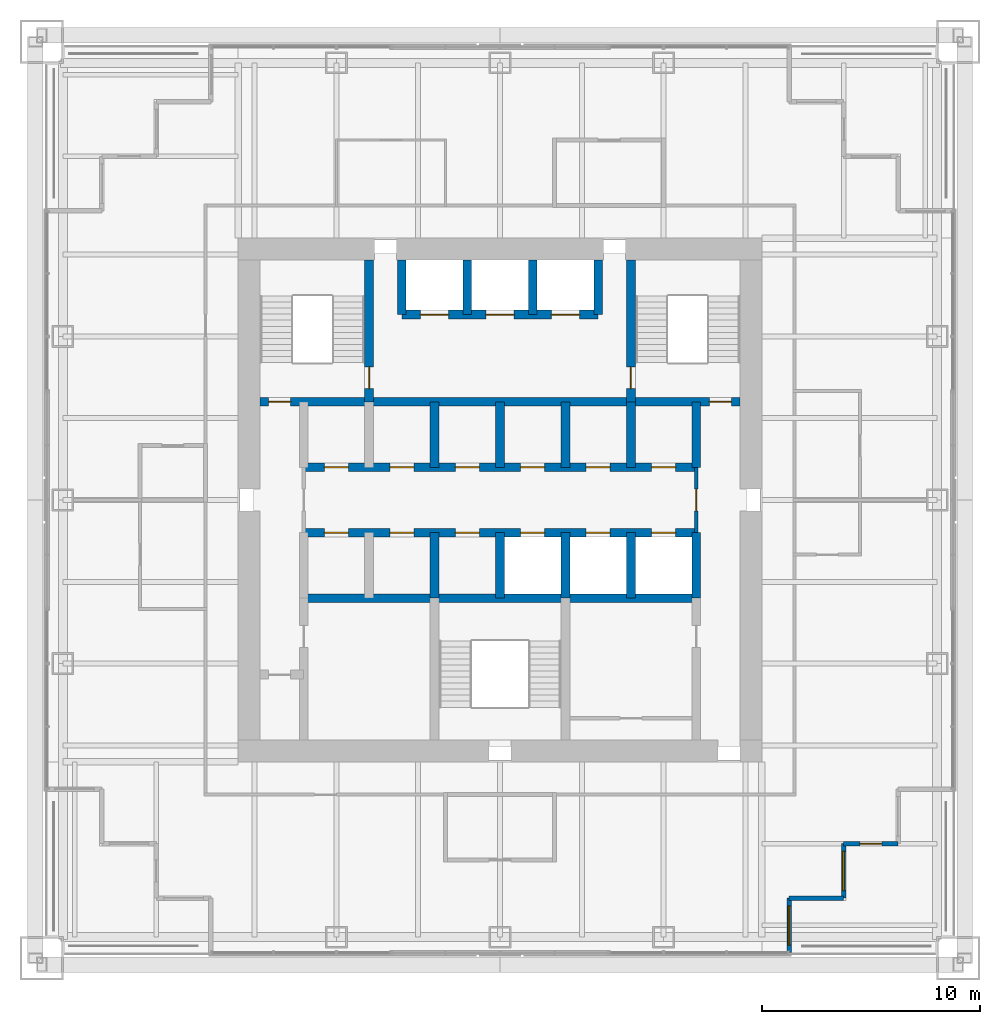
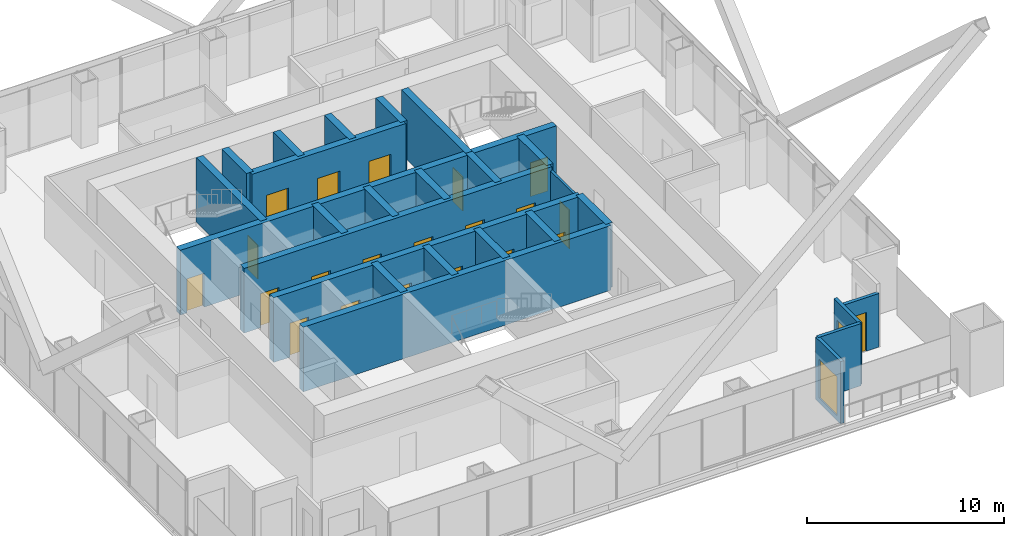
# One storey, part 15 of 19: 26 walls, 21 doors, 2 windows, 23 openings.
"""IFC4 building model written with IfcOpenShell, lengths in metres."""

from ifc_helpers import new_model, si_unit, direction, frame, frame_2d, origin, place, context, subcontext, project, spatial, rectangle, extrude, material, layer, layer_set, type_object, element, fill, save


model = new_model("IFC4")

# Units and contexts
model_context = context("Model", 3, precision=1e-05, world=origin(), true_north=direction((0.0, 1.0)))
body_context = subcontext(model_context, "Body", "Model", "MODEL_VIEW")
ifc_project = project(units=[si_unit("LENGTHUNIT", "METRE"), si_unit("AREAUNIT", "SQUARE_METRE"), si_unit("VOLUMEUNIT", "CUBIC_METRE"), si_unit("PLANEANGLEUNIT", "RADIAN"), si_unit("MASSUNIT", "GRAM", prefix="KILO")], contexts=[model_context])

# Site, building, storey
site_placement = place(None, origin())
site = spatial("IfcSite", under=ifc_project, at=site_placement, CompositionType="ELEMENT")
building_placement = place(site_placement, origin())
building = spatial("IfcBuilding", under=site, at=building_placement, Name="Tarangal Relay Tower", CompositionType="ELEMENT")
storey_placement = place(building_placement, frame((0.0, 0.0, 275.89990234375)))
storey = spatial("IfcBuildingStorey", under=building, at=storey_placement, Name="L60", CompositionType="ELEMENT", Elevation=275.89990234375)

# Wall, openings, doors
ifc_material_1 = material(Name="Concrete fc' 60 MPa", Category="concrete")
ifc_layer_1 = layer(ifc_material_1, 0.39990234375)
ifc_layer_set_1 = layer_set([ifc_layer_1], Name="Core inner wall 400")
wall_type_1 = type_object("IfcWallType", Name="Core inner wall 400", PredefinedType="SHEAR", material=ifc_layer_set_1)
wall_1_placement = place(storey_placement, frame((-11.0, 4.5, 0.0), z_axis=(0.0, 0.0, 1.0), x_axis=(1.0, 0.0, 0.0)))
wall_1 = element("IfcWall", 1, at=wall_1_placement, inside=storey, type_object=wall_type_1, Name="Core wall Y45 L60", PredefinedType="SHEAR", context=body_context, shape_type="SweptSolid", body=[
    extrude(rectangle(XDim=22.0, YDim=0.39990234375, at=frame_2d((11.0, 0.0))), origin(), (0.0, 0.0, 1.0), 4.0),
])
opening_1_placement = place(wall_1_placement, frame((0.39990234375, 0.0, 0.0)))
opening_1 = element("IfcOpeningElement", 2, at=opening_1_placement, cuts=wall_1, Name="Opening FD1", PredefinedType="OPENING", context=body_context, shape_type="SweptSolid", body=[
    extrude(rectangle(XDim=1.0, YDim=2.10009765625, at=frame_2d((0.5, 1.050048828125))), frame((0.0, 0.2099609375, 0.0), z_axis=(0.0, -1.0, 0.0), x_axis=(1.0, 0.0, 0.0)), (0.0, 0.0, 1.0), 0.419921875),
])
opening_2_placement = place(wall_1_placement, frame((20.60009765625, 0.0, 0.0)))
opening_2 = element("IfcOpeningElement", 3, at=opening_2_placement, cuts=wall_1, Name="Opening FD1", PredefinedType="OPENING", context=body_context, shape_type="SweptSolid", body=[
    extrude(rectangle(XDim=1.0, YDim=2.10009765625, at=frame_2d((0.5, 1.050048828125))), frame((0.0, 0.2099609375, 0.0), z_axis=(0.0, -1.0, 0.0), x_axis=(1.0, 0.0, 0.0)), (0.0, 0.0, 1.0), 0.419921875),
])
ifc_material_2 = material(Name="Steel door with hardwood frame", Category="steel")
door_type_1 = type_object("IfcDoorType", Name="Fire door 1000 x 2100", OperationType="SINGLE_SWING_LEFT", PredefinedType="DOOR", material=ifc_material_2)
door_1_placement = place(opening_1_placement, origin())
door_1 = element("IfcDoor", 4, at=door_1_placement, inside=storey, type_object=door_type_1, Name="Stair ST-A door from corridor L60", OperationType="SINGLE_SWING_LEFT", OverallHeight=2.10009765625, OverallWidth=1.0, PredefinedType="DOOR", context=body_context, shape_type="SweptSolid", body=[
    extrude(rectangle(XDim=1.0, YDim=2.10009765625, at=frame_2d((0.5, 1.050048828125))), frame((0.0, 0.02490234375, 0.0), z_axis=(0.0, -1.0, 0.0), x_axis=(1.0, 0.0, 0.0)), (0.0, 0.0, 1.0), 0.050048828125),
])
fill(opening_1, door_1)
door_2_placement = place(opening_2_placement, origin())
door_2 = element("IfcDoor", 5, at=door_2_placement, inside=storey, type_object=door_type_1, Name="Stair ST-B door from corridor L60", OperationType="SINGLE_SWING_LEFT", OverallHeight=2.10009765625, OverallWidth=1.0, PredefinedType="DOOR", context=body_context, shape_type="SweptSolid", body=[
    extrude(rectangle(XDim=1.0, YDim=2.10009765625, at=frame_2d((0.5, 1.050048828125))), frame((0.0, 0.02490234375, 0.0), z_axis=(0.0, -1.0, 0.0), x_axis=(1.0, 0.0, 0.0)), (0.0, 0.0, 1.0), 0.050048828125),
])
fill(opening_2, door_2)

wall_2_placement = place(storey_placement, frame((-9.0, 1.5, 0.0), z_axis=(0.0, 0.0, 1.0), x_axis=(1.0, 0.0, 0.0)))
wall_2 = element("IfcWall", 6, at=wall_2_placement, inside=storey, type_object=wall_type_1, Name="Core wall Y15 L60", PredefinedType="SHEAR", context=body_context, shape_type="SweptSolid", body=[
    extrude(rectangle(XDim=18.0, YDim=0.39990234375, at=frame_2d((9.0, 0.0))), origin(), (0.0, 0.0, 1.0), 4.0),
])
opening_3_placement = place(wall_2_placement, frame((0.949951171875, 0.0, 0.0)))
opening_3 = element("IfcOpeningElement", 7, at=opening_3_placement, cuts=wall_2, Name="Opening D4", PredefinedType="OPENING", context=body_context, shape_type="SweptSolid", body=[
    extrude(rectangle(XDim=1.10009765625, YDim=2.10009765625, at=frame_2d((0.550048828125, 1.050048828125))), frame((0.0, 0.2099609375, 0.0), z_axis=(0.0, -1.0, 0.0), x_axis=(1.0, 0.0, 0.0)), (0.0, 0.0, 1.0), 0.419921875),
])
opening_4_placement = place(wall_2_placement, frame((3.949951171875, 0.0, 0.0)))
opening_4 = element("IfcOpeningElement", 8, at=opening_4_placement, cuts=wall_2, Name="Opening D4", PredefinedType="OPENING", context=body_context, shape_type="SweptSolid", body=[
    extrude(rectangle(XDim=1.10009765625, YDim=2.10009765625, at=frame_2d((0.550048828125, 1.050048828125))), frame((0.0, 0.2099609375, 0.0), z_axis=(0.0, -1.0, 0.0), x_axis=(1.0, 0.0, 0.0)), (0.0, 0.0, 1.0), 0.419921875),
])
opening_5_placement = place(wall_2_placement, frame((6.949951171875, 0.0, 0.0)))
opening_5 = element("IfcOpeningElement", 9, at=opening_5_placement, cuts=wall_2, Name="Opening D4", PredefinedType="OPENING", context=body_context, shape_type="SweptSolid", body=[
    extrude(rectangle(XDim=1.10009765625, YDim=2.10009765625, at=frame_2d((0.550048828125, 1.050048828125))), frame((0.0, 0.2099609375, 0.0), z_axis=(0.0, -1.0, 0.0), x_axis=(1.0, 0.0, 0.0)), (0.0, 0.0, 1.0), 0.419921875),
])
opening_6_placement = place(wall_2_placement, frame((9.949951171875, 0.0, 0.0)))
opening_6 = element("IfcOpeningElement", 10, at=opening_6_placement, cuts=wall_2, Name="Opening D4", PredefinedType="OPENING", context=body_context, shape_type="SweptSolid", body=[
    extrude(rectangle(XDim=1.10009765625, YDim=2.10009765625, at=frame_2d((0.550048828125, 1.050048828125))), frame((0.0, 0.2099609375, 0.0), z_axis=(0.0, -1.0, 0.0), x_axis=(1.0, 0.0, 0.0)), (0.0, 0.0, 1.0), 0.419921875),
])
opening_7_placement = place(wall_2_placement, frame((12.949951171875, 0.0, 0.0)))
opening_7 = element("IfcOpeningElement", 11, at=opening_7_placement, cuts=wall_2, Name="Opening D4", PredefinedType="OPENING", context=body_context, shape_type="SweptSolid", body=[
    extrude(rectangle(XDim=1.10009765625, YDim=2.10009765625, at=frame_2d((0.550048828125, 1.050048828125))), frame((0.0, 0.2099609375, 0.0), z_axis=(0.0, -1.0, 0.0), x_axis=(1.0, 0.0, 0.0)), (0.0, 0.0, 1.0), 0.419921875),
])
opening_8_placement = place(wall_2_placement, frame((15.949951171875, 0.0, 0.0)))
opening_8 = element("IfcOpeningElement", 12, at=opening_8_placement, cuts=wall_2, Name="Opening D4", PredefinedType="OPENING", context=body_context, shape_type="SweptSolid", body=[
    extrude(rectangle(XDim=1.10009765625, YDim=2.10009765625, at=frame_2d((0.550048828125, 1.050048828125))), frame((0.0, 0.2099609375, 0.0), z_axis=(0.0, -1.0, 0.0), x_axis=(1.0, 0.0, 0.0)), (0.0, 0.0, 1.0), 0.419921875),
])
door_type_2 = type_object("IfcDoorType", Name="Core room door 1100 x 2100", OperationType="SINGLE_SWING_RIGHT", PredefinedType="DOOR", material=ifc_material_2)
door_3_placement = place(opening_3_placement, origin())
door_3 = element("IfcDoor", 13, at=door_3_placement, inside=storey, type_object=door_type_2, Name="Door D4 to staff wc L60-D1", OperationType="SINGLE_SWING_RIGHT", OverallHeight=2.10009765625, OverallWidth=1.10009765625, PredefinedType="DOOR", context=body_context, shape_type="SweptSolid", body=[
    extrude(rectangle(XDim=1.10009765625, YDim=2.10009765625, at=frame_2d((0.550048828125, 1.050048828125))), frame((0.0, 0.02490234375, 0.0), z_axis=(0.0, -1.0, 0.0), x_axis=(1.0, 0.0, 0.0)), (0.0, 0.0, 1.0), 0.050048828125),
])
fill(opening_3, door_3)
door_4_placement = place(opening_4_placement, origin())
door_4 = element("IfcDoor", 14, at=door_4_placement, inside=storey, type_object=door_type_2, Name="Door D4 to staff pantry L60-D2", OperationType="SINGLE_SWING_RIGHT", OverallHeight=2.10009765625, OverallWidth=1.10009765625, PredefinedType="DOOR", context=body_context, shape_type="SweptSolid", body=[
    extrude(rectangle(XDim=1.10009765625, YDim=2.10009765625, at=frame_2d((0.550048828125, 1.050048828125))), frame((0.0, 0.02490234375, 0.0), z_axis=(0.0, -1.0, 0.0), x_axis=(1.0, 0.0, 0.0)), (0.0, 0.0, 1.0), 0.050048828125),
])
fill(opening_4, door_4)
door_5_placement = place(opening_5_placement, origin())
door_5 = element("IfcDoor", 15, at=door_5_placement, inside=storey, type_object=door_type_2, Name="Door D4 to it room L60-D3", OperationType="SINGLE_SWING_RIGHT", OverallHeight=2.10009765625, OverallWidth=1.10009765625, PredefinedType="DOOR", context=body_context, shape_type="SweptSolid", body=[
    extrude(rectangle(XDim=1.10009765625, YDim=2.10009765625, at=frame_2d((0.550048828125, 1.050048828125))), frame((0.0, 0.02490234375, 0.0), z_axis=(0.0, -1.0, 0.0), x_axis=(1.0, 0.0, 0.0)), (0.0, 0.0, 1.0), 0.050048828125),
])
fill(opening_5, door_5)
door_6_placement = place(opening_6_placement, origin())
door_6 = element("IfcDoor", 16, at=door_6_placement, inside=storey, type_object=door_type_2, Name="Door D4 to cleaner's store L60-T1", OperationType="SINGLE_SWING_RIGHT", OverallHeight=2.10009765625, OverallWidth=1.10009765625, PredefinedType="DOOR", context=body_context, shape_type="SweptSolid", body=[
    extrude(rectangle(XDim=1.10009765625, YDim=2.10009765625, at=frame_2d((0.550048828125, 1.050048828125))), frame((0.0, 0.02490234375, 0.0), z_axis=(0.0, -1.0, 0.0), x_axis=(1.0, 0.0, 0.0)), (0.0, 0.0, 1.0), 0.050048828125),
])
fill(opening_6, door_6)
door_7_placement = place(opening_7_placement, origin())
door_7 = element("IfcDoor", 17, at=door_7_placement, inside=storey, type_object=door_type_2, Name="Door D4 to staff wc L60-T2", OperationType="SINGLE_SWING_RIGHT", OverallHeight=2.10009765625, OverallWidth=1.10009765625, PredefinedType="DOOR", context=body_context, shape_type="SweptSolid", body=[
    extrude(rectangle(XDim=1.10009765625, YDim=2.10009765625, at=frame_2d((0.550048828125, 1.050048828125))), frame((0.0, 0.02490234375, 0.0), z_axis=(0.0, -1.0, 0.0), x_axis=(1.0, 0.0, 0.0)), (0.0, 0.0, 1.0), 0.050048828125),
])
fill(opening_7, door_7)
door_8_placement = place(opening_8_placement, origin())
door_8 = element("IfcDoor", 18, at=door_8_placement, inside=storey, type_object=door_type_2, Name="Door D4 to staff pantry L60-T3", OperationType="SINGLE_SWING_RIGHT", OverallHeight=2.10009765625, OverallWidth=1.10009765625, PredefinedType="DOOR", context=body_context, shape_type="SweptSolid", body=[
    extrude(rectangle(XDim=1.10009765625, YDim=2.10009765625, at=frame_2d((0.550048828125, 1.050048828125))), frame((0.0, 0.02490234375, 0.0), z_axis=(0.0, -1.0, 0.0), x_axis=(1.0, 0.0, 0.0)), (0.0, 0.0, 1.0), 0.050048828125),
])
fill(opening_8, door_8)

wall_3_placement = place(storey_placement, frame((-9.0, -1.5, 0.0), z_axis=(0.0, 0.0, 1.0), x_axis=(1.0, 0.0, 0.0)))
wall_3 = element("IfcWall", 19, at=wall_3_placement, inside=storey, type_object=wall_type_1, Name="Core wall YM15 L60", PredefinedType="SHEAR", context=body_context, shape_type="SweptSolid", body=[
    extrude(rectangle(XDim=18.0, YDim=0.39990234375, at=frame_2d((9.0, 0.0))), origin(), (0.0, 0.0, 1.0), 4.0),
])
opening_9_placement = place(wall_3_placement, frame((9.949951171875, 0.0, 0.0)))
opening_9 = element("IfcOpeningElement", 20, at=opening_9_placement, cuts=wall_3, Name="Opening LD1", PredefinedType="OPENING", context=body_context, shape_type="SweptSolid", body=[
    extrude(rectangle(XDim=1.10009765625, YDim=2.10009765625, at=frame_2d((0.550048828125, 1.050048828125))), frame((0.0, 0.2099609375, 0.0), z_axis=(0.0, -1.0, 0.0), x_axis=(1.0, 0.0, 0.0)), (0.0, 0.0, 1.0), 0.419921875),
])
opening_10_placement = place(wall_3_placement, frame((12.949951171875, 0.0, 0.0)))
opening_10 = element("IfcOpeningElement", 21, at=opening_10_placement, cuts=wall_3, Name="Opening LD1", PredefinedType="OPENING", context=body_context, shape_type="SweptSolid", body=[
    extrude(rectangle(XDim=1.10009765625, YDim=2.10009765625, at=frame_2d((0.550048828125, 1.050048828125))), frame((0.0, 0.2099609375, 0.0), z_axis=(0.0, -1.0, 0.0), x_axis=(1.0, 0.0, 0.0)), (0.0, 0.0, 1.0), 0.419921875),
])
opening_11_placement = place(wall_3_placement, frame((15.949951171875, 0.0, 0.0)))
opening_11 = element("IfcOpeningElement", 22, at=opening_11_placement, cuts=wall_3, Name="Opening LD1", PredefinedType="OPENING", context=body_context, shape_type="SweptSolid", body=[
    extrude(rectangle(XDim=1.10009765625, YDim=2.10009765625, at=frame_2d((0.550048828125, 1.050048828125))), frame((0.0, 0.2099609375, 0.0), z_axis=(0.0, -1.0, 0.0), x_axis=(1.0, 0.0, 0.0)), (0.0, 0.0, 1.0), 0.419921875),
])
opening_12_placement = place(wall_3_placement, frame((0.949951171875, 0.0, 0.0)))
opening_12 = element("IfcOpeningElement", 23, at=opening_12_placement, cuts=wall_3, Name="Opening D4", PredefinedType="OPENING", context=body_context, shape_type="SweptSolid", body=[
    extrude(rectangle(XDim=1.10009765625, YDim=2.10009765625, at=frame_2d((0.550048828125, 1.050048828125))), frame((0.0, 0.2099609375, 0.0), z_axis=(0.0, -1.0, 0.0), x_axis=(1.0, 0.0, 0.0)), (0.0, 0.0, 1.0), 0.419921875),
])
opening_13_placement = place(wall_3_placement, frame((3.949951171875, 0.0, 0.0)))
opening_13 = element("IfcOpeningElement", 24, at=opening_13_placement, cuts=wall_3, Name="Opening D4", PredefinedType="OPENING", context=body_context, shape_type="SweptSolid", body=[
    extrude(rectangle(XDim=1.10009765625, YDim=2.10009765625, at=frame_2d((0.550048828125, 1.050048828125))), frame((0.0, 0.2099609375, 0.0), z_axis=(0.0, -1.0, 0.0), x_axis=(1.0, 0.0, 0.0)), (0.0, 0.0, 1.0), 0.419921875),
])
opening_14_placement = place(wall_3_placement, frame((6.949951171875, 0.0, 0.0)))
opening_14 = element("IfcOpeningElement", 25, at=opening_14_placement, cuts=wall_3, Name="Opening D4", PredefinedType="OPENING", context=body_context, shape_type="SweptSolid", body=[
    extrude(rectangle(XDim=1.10009765625, YDim=2.10009765625, at=frame_2d((0.550048828125, 1.050048828125))), frame((0.0, 0.2099609375, 0.0), z_axis=(0.0, -1.0, 0.0), x_axis=(1.0, 0.0, 0.0)), (0.0, 0.0, 1.0), 0.419921875),
])
door_9_placement = place(opening_12_placement, origin())
door_9 = element("IfcDoor", 26, at=door_9_placement, inside=storey, type_object=door_type_2, Name="Door D4 to it room L60-S1", OperationType="SINGLE_SWING_RIGHT", OverallHeight=2.10009765625, OverallWidth=1.10009765625, PredefinedType="DOOR", context=body_context, shape_type="SweptSolid", body=[
    extrude(rectangle(XDim=1.10009765625, YDim=2.10009765625, at=frame_2d((0.550048828125, 1.050048828125))), frame((0.0, 0.02490234375, 0.0), z_axis=(0.0, -1.0, 0.0), x_axis=(1.0, 0.0, 0.0)), (0.0, 0.0, 1.0), 0.050048828125),
])
fill(opening_12, door_9)
door_10_placement = place(opening_13_placement, origin())
door_10 = element("IfcDoor", 27, at=door_10_placement, inside=storey, type_object=door_type_2, Name="Door D4 to cleaner's store L60-S2", OperationType="SINGLE_SWING_RIGHT", OverallHeight=2.10009765625, OverallWidth=1.10009765625, PredefinedType="DOOR", context=body_context, shape_type="SweptSolid", body=[
    extrude(rectangle(XDim=1.10009765625, YDim=2.10009765625, at=frame_2d((0.550048828125, 1.050048828125))), frame((0.0, 0.02490234375, 0.0), z_axis=(0.0, -1.0, 0.0), x_axis=(1.0, 0.0, 0.0)), (0.0, 0.0, 1.0), 0.050048828125),
])
fill(opening_13, door_10)
door_11_placement = place(opening_14_placement, origin())
door_11 = element("IfcDoor", 28, at=door_11_placement, inside=storey, type_object=door_type_2, Name="Door D4 to staff wc L60-S3", OperationType="SINGLE_SWING_RIGHT", OverallHeight=2.10009765625, OverallWidth=1.10009765625, PredefinedType="DOOR", context=body_context, shape_type="SweptSolid", body=[
    extrude(rectangle(XDim=1.10009765625, YDim=2.10009765625, at=frame_2d((0.550048828125, 1.050048828125))), frame((0.0, 0.02490234375, 0.0), z_axis=(0.0, -1.0, 0.0), x_axis=(1.0, 0.0, 0.0)), (0.0, 0.0, 1.0), 0.050048828125),
])
fill(opening_14, door_11)
door_type_3 = type_object("IfcDoorType", Name="Lift landing door 1100 x 2100", OperationType="SLIDING_TO_LEFT", PredefinedType="DOOR", material=ifc_material_2)
door_12_placement = place(opening_9_placement, origin())
door_12 = element("IfcDoor", 29, at=door_12_placement, inside=storey, type_object=door_type_3, Name="Lift OH1 landing door L60", OperationType="SLIDING_TO_LEFT", OverallHeight=2.10009765625, OverallWidth=1.10009765625, PredefinedType="DOOR", context=body_context, shape_type="SweptSolid", body=[
    extrude(rectangle(XDim=1.10009765625, YDim=2.10009765625, at=frame_2d((0.550048828125, 1.050048828125))), frame((0.0, 0.02490234375, 0.0), z_axis=(0.0, -1.0, 0.0), x_axis=(1.0, 0.0, 0.0)), (0.0, 0.0, 1.0), 0.050048828125),
])
fill(opening_9, door_12)
door_13_placement = place(opening_10_placement, origin())
door_13 = element("IfcDoor", 30, at=door_13_placement, inside=storey, type_object=door_type_3, Name="Lift OH2 landing door L60", OperationType="SLIDING_TO_LEFT", OverallHeight=2.10009765625, OverallWidth=1.10009765625, PredefinedType="DOOR", context=body_context, shape_type="SweptSolid", body=[
    extrude(rectangle(XDim=1.10009765625, YDim=2.10009765625, at=frame_2d((0.550048828125, 1.050048828125))), frame((0.0, 0.02490234375, 0.0), z_axis=(0.0, -1.0, 0.0), x_axis=(1.0, 0.0, 0.0)), (0.0, 0.0, 1.0), 0.050048828125),
])
fill(opening_10, door_13)
door_14_placement = place(opening_11_placement, origin())
door_14 = element("IfcDoor", 31, at=door_14_placement, inside=storey, type_object=door_type_3, Name="Lift OH3 landing door L60", OperationType="SLIDING_TO_LEFT", OverallHeight=2.10009765625, OverallWidth=1.10009765625, PredefinedType="DOOR", context=body_context, shape_type="SweptSolid", body=[
    extrude(rectangle(XDim=1.10009765625, YDim=2.10009765625, at=frame_2d((0.550048828125, 1.050048828125))), frame((0.0, 0.02490234375, 0.0), z_axis=(0.0, -1.0, 0.0), x_axis=(1.0, 0.0, 0.0)), (0.0, 0.0, 1.0), 0.050048828125),
])
fill(opening_11, door_14)

# Wall
wall_4_placement = place(storey_placement, frame((-9.0, -4.5, 0.0), z_axis=(0.0, 0.0, 1.0), x_axis=(1.0, 0.0, 0.0)))
element("IfcWall", 32, at=wall_4_placement, inside=storey, type_object=wall_type_1, Name="Core wall YM45 L60", PredefinedType="SHEAR", context=body_context, shape_type="SweptSolid", body=[
    extrude(rectangle(XDim=18.0, YDim=0.39990234375, at=frame_2d((9.0, 0.0))), origin(), (0.0, 0.0, 1.0), 4.0),
])

# Wall, openings, doors
wall_5_placement = place(storey_placement, frame((-4.5, 8.5, 0.0), z_axis=(0.0, 0.0, 1.0), x_axis=(1.0, 0.0, 0.0)))
wall_5 = element("IfcWall", 33, at=wall_5_placement, inside=storey, type_object=wall_type_1, Name="Core wall Y85 L60", PredefinedType="SHEAR", context=body_context, shape_type="SweptSolid", body=[
    extrude(rectangle(XDim=9.0, YDim=0.39990234375, at=frame_2d((4.5, 0.0))), origin(), (0.0, 0.0, 1.0), 4.0),
])
opening_15_placement = place(wall_5_placement, frame((0.85009765625, 0.0, 0.0)))
opening_15 = element("IfcOpeningElement", 34, at=opening_15_placement, cuts=wall_5, Name="Opening LD2", PredefinedType="OPENING", context=body_context, shape_type="SweptSolid", body=[
    extrude(rectangle(XDim=1.300048828125, YDim=2.39990234375, at=frame_2d((0.64990234375, 1.199951171875))), frame((0.0, 0.2099609375, 0.0), z_axis=(0.0, -1.0, 0.0), x_axis=(1.0, 0.0, 0.0)), (0.0, 0.0, 1.0), 0.419921875),
])
opening_16_placement = place(wall_5_placement, frame((6.85009765625, 0.0, 0.0)))
opening_16 = element("IfcOpeningElement", 35, at=opening_16_placement, cuts=wall_5, Name="Opening LD2", PredefinedType="OPENING", context=body_context, shape_type="SweptSolid", body=[
    extrude(rectangle(XDim=1.300048828125, YDim=2.39990234375, at=frame_2d((0.64990234375, 1.199951171875))), frame((0.0, 0.2099609375, 0.0), z_axis=(0.0, -1.0, 0.0), x_axis=(1.0, 0.0, 0.0)), (0.0, 0.0, 1.0), 0.419921875),
])
opening_17_placement = place(wall_5_placement, frame((3.85009765625, 0.0, 0.0)))
opening_17 = element("IfcOpeningElement", 36, at=opening_17_placement, cuts=wall_5, Name="Opening LD2", PredefinedType="OPENING", context=body_context, shape_type="SweptSolid", body=[
    extrude(rectangle(XDim=1.300048828125, YDim=2.39990234375, at=frame_2d((0.64990234375, 1.199951171875))), frame((0.0, 0.2099609375, 0.0), z_axis=(0.0, -1.0, 0.0), x_axis=(1.0, 0.0, 0.0)), (0.0, 0.0, 1.0), 0.419921875),
])
door_type_4 = type_object("IfcDoorType", Name="Lift landing door 1300 x 2400", OperationType="SLIDING_TO_LEFT", PredefinedType="DOOR", material=ifc_material_2)
door_15_placement = place(opening_15_placement, origin())
door_15 = element("IfcDoor", 37, at=door_15_placement, inside=storey, type_object=door_type_4, Name="Lift FF1 landing door L60", OperationType="SLIDING_TO_LEFT", OverallHeight=2.39990234375, OverallWidth=1.300048828125, PredefinedType="DOOR", context=body_context, shape_type="SweptSolid", body=[
    extrude(rectangle(XDim=1.300048828125, YDim=2.39990234375, at=frame_2d((0.64990234375, 1.199951171875))), frame((0.0, 0.02490234375, 0.0), z_axis=(0.0, -1.0, 0.0), x_axis=(1.0, 0.0, 0.0)), (0.0, 0.0, 1.0), 0.050048828125),
])
fill(opening_15, door_15)
door_16_placement = place(opening_16_placement, origin())
door_16 = element("IfcDoor", 38, at=door_16_placement, inside=storey, type_object=door_type_4, Name="Lift FF2 landing door L60", OperationType="SLIDING_TO_LEFT", OverallHeight=2.39990234375, OverallWidth=1.300048828125, PredefinedType="DOOR", context=body_context, shape_type="SweptSolid", body=[
    extrude(rectangle(XDim=1.300048828125, YDim=2.39990234375, at=frame_2d((0.64990234375, 1.199951171875))), frame((0.0, 0.02490234375, 0.0), z_axis=(0.0, -1.0, 0.0), x_axis=(1.0, 0.0, 0.0)), (0.0, 0.0, 1.0), 0.050048828125),
])
fill(opening_16, door_16)
door_17_placement = place(opening_17_placement, origin())
door_17 = element("IfcDoor", 39, at=door_17_placement, inside=storey, type_object=door_type_4, Name="Lift SV1 landing door L60", OperationType="SLIDING_TO_LEFT", OverallHeight=2.39990234375, OverallWidth=1.300048828125, PredefinedType="DOOR", context=body_context, shape_type="SweptSolid", body=[
    extrude(rectangle(XDim=1.300048828125, YDim=2.39990234375, at=frame_2d((0.64990234375, 1.199951171875))), frame((0.0, 0.02490234375, 0.0), z_axis=(0.0, -1.0, 0.0), x_axis=(1.0, 0.0, 0.0)), (0.0, 0.0, 1.0), 0.050048828125),
])
fill(opening_17, door_17)

# Walls
for number, where, z_axis, x_axis, name in (
    (40, (9.0, 1.5, 0.0), (0.0, 0.0, 1.0), (0.0, 1.0, 0.0), "Core wall X9N L60"),
    (41, (9.0, -4.5, 0.0), (0.0, 0.0, 1.0), (0.0, 1.0, 0.0), "Core wall X9S L60"),
    (42, (-3.0, 1.5, 0.0), (0.0, 0.0, 1.0), (0.0, 1.0, 0.0), "Core wall XM3N L60"),
    (43, (0.0, 1.5, 0.0), (0.0, 0.0, 1.0), (0.0, 1.0, 0.0), "Core wall X0N L60"),
    (44, (3.0, 1.5, 0.0), (0.0, 0.0, 1.0), (0.0, 1.0, 0.0), "Core wall X3N L60"),
    (45, (6.0, 1.5, 0.0), (0.0, 0.0, 1.0), (0.0, 1.0, 0.0), "Core wall X6N L60"),
    (46, (-3.0, -4.5, 0.0), (0.0, 0.0, 1.0), (0.0, 1.0, 0.0), "Core wall XM3S L60"),
    (47, (0.0, -4.5, 0.0), (0.0, 0.0, 1.0), (0.0, 1.0, 0.0), "Core wall X0S L60"),
    (48, (3.0, -4.5, 0.0), (0.0, 0.0, 1.0), (0.0, 1.0, 0.0), "Core wall X3S L60"),
    (49, (6.0, -4.5, 0.0), (0.0, 0.0, 1.0), (0.0, 1.0, 0.0), "Core wall X6S L60"),
):
    element("IfcWall", number, at=place(storey_placement, frame(where, z_axis=z_axis, x_axis=x_axis)), inside=storey, type_object=wall_type_1, Name=name, PredefinedType="SHEAR", context=body_context, shape_type="SweptSolid", body=[
        extrude(rectangle(XDim=3.0, YDim=0.39990234375, at=frame_2d((1.5, 0.0))), origin(), (0.0, 0.0, 1.0), 4.0),
    ])

# Wall, opening, door
wall_6_placement = place(storey_placement, frame((-6.0, 4.5, 0.0), z_axis=(0.0, 0.0, 1.0), x_axis=(0.0, 1.0, 0.0)))
wall_6 = element("IfcWall", 50, at=wall_6_placement, inside=storey, type_object=wall_type_1, Name="Core wall XM6 L60", PredefinedType="SHEAR", context=body_context, shape_type="SweptSolid", body=[
    extrude(rectangle(XDim=6.5, YDim=0.39990234375, at=frame_2d((3.25, 0.0))), origin(), (0.0, 0.0, 1.0), 4.0),
])
opening_18_placement = place(wall_6_placement, frame((0.60009765625, 0.0, 0.0)))
opening_18 = element("IfcOpeningElement", 51, at=opening_18_placement, cuts=wall_6, Name="Opening FD1", PredefinedType="OPENING", context=body_context, shape_type="SweptSolid", body=[
    extrude(rectangle(XDim=1.0, YDim=2.10009765625, at=frame_2d((0.5, 1.050048828125))), frame((0.0, 0.2099609375, 0.0), z_axis=(0.0, -1.0, 0.0), x_axis=(1.0, 0.0, 0.0)), (0.0, 0.0, 1.0), 0.419921875),
])
door_18_placement = place(opening_18_placement, origin())
door_18 = element("IfcDoor", 52, at=door_18_placement, inside=storey, type_object=door_type_1, Name="Stair ST-A door from fire-fighting lobby L60", OperationType="SINGLE_SWING_LEFT", OverallHeight=2.10009765625, OverallWidth=1.0, PredefinedType="DOOR", context=body_context, shape_type="SweptSolid", body=[
    extrude(rectangle(XDim=1.0, YDim=2.10009765625, at=frame_2d((0.5, 1.050048828125))), frame((0.0, 0.02490234375, 0.0), z_axis=(0.0, -1.0, 0.0), x_axis=(1.0, 0.0, 0.0)), (0.0, 0.0, 1.0), 0.050048828125),
])
fill(opening_18, door_18)

wall_7_placement = place(storey_placement, frame((6.0, 4.5, 0.0), z_axis=(0.0, 0.0, 1.0), x_axis=(0.0, 1.0, 0.0)))
wall_7 = element("IfcWall", 53, at=wall_7_placement, inside=storey, type_object=wall_type_1, Name="Core wall X6 L60", PredefinedType="SHEAR", context=body_context, shape_type="SweptSolid", body=[
    extrude(rectangle(XDim=6.5, YDim=0.39990234375, at=frame_2d((3.25, 0.0))), origin(), (0.0, 0.0, 1.0), 4.0),
])
opening_19_placement = place(wall_7_placement, frame((0.60009765625, 0.0, 0.0)))
opening_19 = element("IfcOpeningElement", 54, at=opening_19_placement, cuts=wall_7, Name="Opening FD1", PredefinedType="OPENING", context=body_context, shape_type="SweptSolid", body=[
    extrude(rectangle(XDim=1.0, YDim=2.10009765625, at=frame_2d((0.5, 1.050048828125))), frame((0.0, 0.2099609375, 0.0), z_axis=(0.0, -1.0, 0.0), x_axis=(1.0, 0.0, 0.0)), (0.0, 0.0, 1.0), 0.419921875),
])
door_19_placement = place(opening_19_placement, origin())
door_19 = element("IfcDoor", 55, at=door_19_placement, inside=storey, type_object=door_type_1, Name="Stair ST-B door from fire-fighting lobby L60", OperationType="SINGLE_SWING_LEFT", OverallHeight=2.10009765625, OverallWidth=1.0, PredefinedType="DOOR", context=body_context, shape_type="SweptSolid", body=[
    extrude(rectangle(XDim=1.0, YDim=2.10009765625, at=frame_2d((0.5, 1.050048828125))), frame((0.0, 0.02490234375, 0.0), z_axis=(0.0, -1.0, 0.0), x_axis=(1.0, 0.0, 0.0)), (0.0, 0.0, 1.0), 0.050048828125),
])
fill(opening_19, door_19)

# Walls
for number, where, z_axis, x_axis, name in (
    (56, (-4.5, 8.5, 0.0), (0.0, 0.0, 1.0), (0.0, 1.0, 0.0), "Core wall XM45 L60"),
    (57, (4.5, 8.5, 0.0), (0.0, 0.0, 1.0), (0.0, 1.0, 0.0), "Core wall X45 L60"),
    (58, (-1.5, 8.5, 0.0), (0.0, 0.0, 1.0), (0.0, 1.0, 0.0), "Core wall XM15 L60"),
    (59, (1.5, 8.5, 0.0), (0.0, 0.0, 1.0), (0.0, 1.0, 0.0), "Core wall X15 L60"),
):
    element("IfcWall", number, at=place(storey_placement, frame(where, z_axis=z_axis, x_axis=x_axis)), inside=storey, type_object=wall_type_1, Name=name, PredefinedType="SHEAR", context=body_context, shape_type="SweptSolid", body=[
        extrude(rectangle(XDim=2.5, YDim=0.39990234375, at=frame_2d((1.25, 0.0))), origin(), (0.0, 0.0, 1.0), 4.0),
    ])

# Wall, opening, door
ifc_material_3 = material(Name="Black metal clad insulated wall", Category="steel")
ifc_layer_2 = layer(ifc_material_3, 0.199951171875)
ifc_layer_set_2 = layer_set([ifc_layer_2], Name="Corner wall metal clad 200")
wall_type_2 = type_object("IfcWallType", Name="Corner wall metal clad 200", PredefinedType="SOLIDWALL", material=ifc_layer_set_2)
wall_8_placement = place(storey_placement, frame((18.25, -15.75, 0.0), z_axis=(0.0, 0.0, 1.0), x_axis=(-1.0, 0.0, 0.0)))
wall_8 = element("IfcWall", 60, at=wall_8_placement, inside=storey, type_object=wall_type_2, Name="Facade wall E facade L60", PredefinedType="SOLIDWALL", context=body_context, shape_type="SweptSolid", body=[
    extrude(rectangle(XDim=2.5, YDim=0.199951171875, at=frame_2d((1.25, 0.0))), origin(), (0.0, 0.0, 1.0), 3.316650390625),
])
opening_20_placement = place(wall_8_placement, frame((0.75, 0.0, 0.0)))
opening_20 = element("IfcOpeningElement", 61, at=opening_20_placement, cuts=wall_8, Name="Opening TD1", PredefinedType="OPENING", context=body_context, shape_type="SweptSolid", body=[
    extrude(rectangle(XDim=1.0, YDim=2.39990234375, at=frame_2d((0.5, 1.199951171875))), frame((0.0, 0.10986328125, 0.0), z_axis=(0.0, -1.0, 0.0), x_axis=(1.0, 0.0, 0.0)), (0.0, 0.0, 1.0), 0.219970703125),
])
ifc_material_4 = material(Name="Aluminium glazed door", Category="aluminium")
door_type_5 = type_object("IfcDoorType", Name="Terrace door 1000 x 2400", OperationType="SINGLE_SWING_RIGHT", PredefinedType="DOOR", material=ifc_material_4)
door_20_placement = place(opening_20_placement, origin())
door_20 = element("IfcDoor", 62, at=door_20_placement, inside=storey, type_object=door_type_5, Name="Terrace door TD1 SE L60", OperationType="SINGLE_SWING_RIGHT", OverallHeight=2.39990234375, OverallWidth=1.0, PredefinedType="DOOR", context=body_context, shape_type="SweptSolid", body=[
    extrude(rectangle(XDim=1.0, YDim=2.39990234375, at=frame_2d((0.5, 1.199951171875))), frame((0.0, 0.02490234375, 0.0), z_axis=(0.0, -1.0, 0.0), x_axis=(1.0, 0.0, 0.0)), (0.0, 0.0, 1.0), 0.050048828125),
])
fill(opening_20, door_20)

# Wall, opening, window
wall_9_placement = place(storey_placement, frame((15.75, -15.75, 0.0), z_axis=(0.0, 0.0, 1.0), x_axis=(0.0, -1.0, 0.0)))
wall_9 = element("IfcWall", 63, at=wall_9_placement, inside=storey, type_object=wall_type_2, Name="Facade wall E facade L60", PredefinedType="SOLIDWALL", context=body_context, shape_type="SweptSolid", body=[
    extrude(rectangle(XDim=2.5, YDim=0.199951171875, at=frame_2d((1.25, 0.0))), origin(), (0.0, 0.0, 1.0), 3.85009765625),
])
opening_21_placement = place(wall_9_placement, frame((0.35009765625, 0.0, 0.300048828125)))
opening_21 = element("IfcOpeningElement", 64, at=opening_21_placement, cuts=wall_9, Name="Opening WN2", PredefinedType="OPENING", context=body_context, shape_type="SweptSolid", body=[
    extrude(rectangle(XDim=1.800048828125, YDim=2.39990234375, at=frame_2d((0.89990234375, 1.199951171875))), frame((0.0, 0.10986328125, 0.0), z_axis=(0.0, -1.0, 0.0), x_axis=(1.0, 0.0, 0.0)), (0.0, 0.0, 1.0), 0.219970703125),
])
ifc_material_5 = material(Name="Dark tinted double glazing in black aluminium frame", Category="aluminium")
window_type = type_object("IfcWindowType", Name="Corner window 1800 x 2400", PartitioningType="SINGLE_PANEL", PredefinedType="WINDOW", material=ifc_material_5)
window_1_placement = place(opening_21_placement, origin())
window_1 = element("IfcWindow", 65, at=window_1_placement, inside=storey, type_object=window_type, Name="Corner window WN2 E facade L60", OverallHeight=2.39990234375, OverallWidth=1.800048828125, PartitioningType="SINGLE_PANEL", PredefinedType="WINDOW", context=body_context, shape_type="SweptSolid", body=[
    extrude(rectangle(XDim=1.800048828125, YDim=2.39990234375, at=frame_2d((0.89990234375, 1.199951171875))), frame((0.0, 0.030029296875, 0.0), z_axis=(0.0, -1.0, 0.0), x_axis=(1.0, 0.0, 0.0)), (0.0, 0.0, 1.0), 0.06005859375),
])
fill(opening_21, window_1)

# Wall
wall_10_placement = place(storey_placement, frame((15.75, -18.25, 0.0), z_axis=(0.0, 0.0, 1.0), x_axis=(-1.0, 0.0, 0.0)))
element("IfcWall", 66, at=wall_10_placement, inside=storey, type_object=wall_type_2, Name="Facade wall E facade L60", PredefinedType="SOLIDWALL", context=body_context, shape_type="SweptSolid", body=[
    extrude(rectangle(XDim=2.5, YDim=0.199951171875, at=frame_2d((1.25, 0.0))), origin(), (0.0, 0.0, 1.0), 3.85009765625),
])

# Wall, opening, window
wall_11_placement = place(storey_placement, frame((13.25, -18.25, 0.0), z_axis=(0.0, 0.0, 1.0), x_axis=(0.0, -1.0, 0.0)))
wall_11 = element("IfcWall", 67, at=wall_11_placement, inside=storey, type_object=wall_type_2, Name="Facade wall E facade L60", PredefinedType="SOLIDWALL", context=body_context, shape_type="SweptSolid", body=[
    extrude(rectangle(XDim=2.5, YDim=0.199951171875, at=frame_2d((1.25, 0.0))), origin(), (0.0, 0.0, 1.0), 3.85009765625),
])
opening_22_placement = place(wall_11_placement, frame((0.35009765625, 0.0, 0.300048828125)))
opening_22 = element("IfcOpeningElement", 68, at=opening_22_placement, cuts=wall_11, Name="Opening WN2", PredefinedType="OPENING", context=body_context, shape_type="SweptSolid", body=[
    extrude(rectangle(XDim=1.800048828125, YDim=2.39990234375, at=frame_2d((0.89990234375, 1.199951171875))), frame((0.0, 0.10986328125, 0.0), z_axis=(0.0, -1.0, 0.0), x_axis=(1.0, 0.0, 0.0)), (0.0, 0.0, 1.0), 0.219970703125),
])
window_2_placement = place(opening_22_placement, origin())
window_2 = element("IfcWindow", 69, at=window_2_placement, inside=storey, type_object=window_type, Name="Corner window WN2 E facade L60", OverallHeight=2.39990234375, OverallWidth=1.800048828125, PartitioningType="SINGLE_PANEL", PredefinedType="WINDOW", context=body_context, shape_type="SweptSolid", body=[
    extrude(rectangle(XDim=1.800048828125, YDim=2.39990234375, at=frame_2d((0.89990234375, 1.199951171875))), frame((0.0, 0.030029296875, 0.0), z_axis=(0.0, -1.0, 0.0), x_axis=(1.0, 0.0, 0.0)), (0.0, 0.0, 1.0), 0.06005859375),
])
fill(opening_22, window_2)

# Wall, opening, door
ifc_material_6 = material(Name="Gypsum board on steel studs", Category="steel")
ifc_layer_3 = layer(ifc_material_6, 0.14990234375)
ifc_layer_set_3 = layer_set([ifc_layer_3], Name="Partition 150")
wall_type_3 = type_object("IfcWallType", Name="Partition 150", PredefinedType="PARTITIONING", material=ifc_layer_set_3)
wall_12_placement = place(storey_placement, frame((9.0, -1.5, 0.0), z_axis=(0.0, 0.0, 1.0), x_axis=(0.0, 1.0, 0.0)))
wall_12 = element("IfcWall", 70, at=wall_12_placement, inside=storey, type_object=wall_type_3, Name="Partition PT1 L60", PredefinedType="PARTITIONING", context=body_context, shape_type="SweptSolid", body=[
    extrude(rectangle(XDim=3.0, YDim=0.14990234375, at=frame_2d((1.5, 0.0))), origin(), (0.0, 0.0, 1.0), 3.75),
])
opening_23_placement = place(wall_12_placement, frame((1.0, 0.0, 0.0)))
opening_23 = element("IfcOpeningElement", 71, at=opening_23_placement, cuts=wall_12, Name="Opening FD3", PredefinedType="OPENING", context=body_context, shape_type="SweptSolid", body=[
    extrude(rectangle(XDim=1.0, YDim=2.39990234375, at=frame_2d((0.5, 1.199951171875))), frame((0.0, 0.0849609375, 0.0), z_axis=(0.0, -1.0, 0.0), x_axis=(1.0, 0.0, 0.0)), (0.0, 0.0, 1.0), 0.169921875),
])
door_type_6 = type_object("IfcDoorType", Name="Fire door 1000 x 2400 core entry", OperationType="SINGLE_SWING_RIGHT", PredefinedType="DOOR", material=ifc_material_2)
door_21_placement = place(opening_23_placement, origin())
door_21 = element("IfcDoor", 72, at=door_21_placement, inside=storey, type_object=door_type_6, Name="Lift lobby door FD3 to the east corridor L60", OperationType="SINGLE_SWING_RIGHT", OverallHeight=2.39990234375, OverallWidth=1.0, PredefinedType="DOOR", context=body_context, shape_type="SweptSolid", body=[
    extrude(rectangle(XDim=1.0, YDim=2.39990234375, at=frame_2d((0.5, 1.199951171875))), frame((0.0, 0.02490234375, 0.0), z_axis=(0.0, -1.0, 0.0), x_axis=(1.0, 0.0, 0.0)), (0.0, 0.0, 1.0), 0.050048828125),
])
fill(opening_23, door_21)

save(model, "model.ifc")
